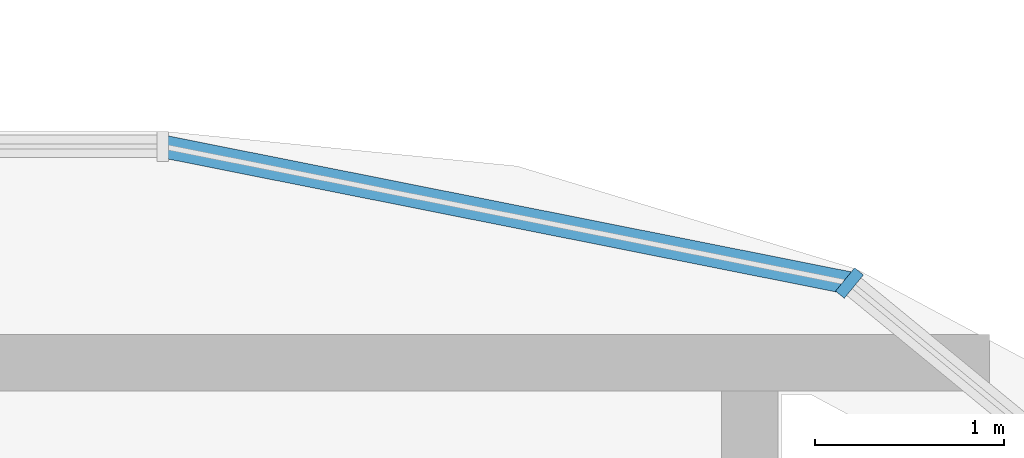
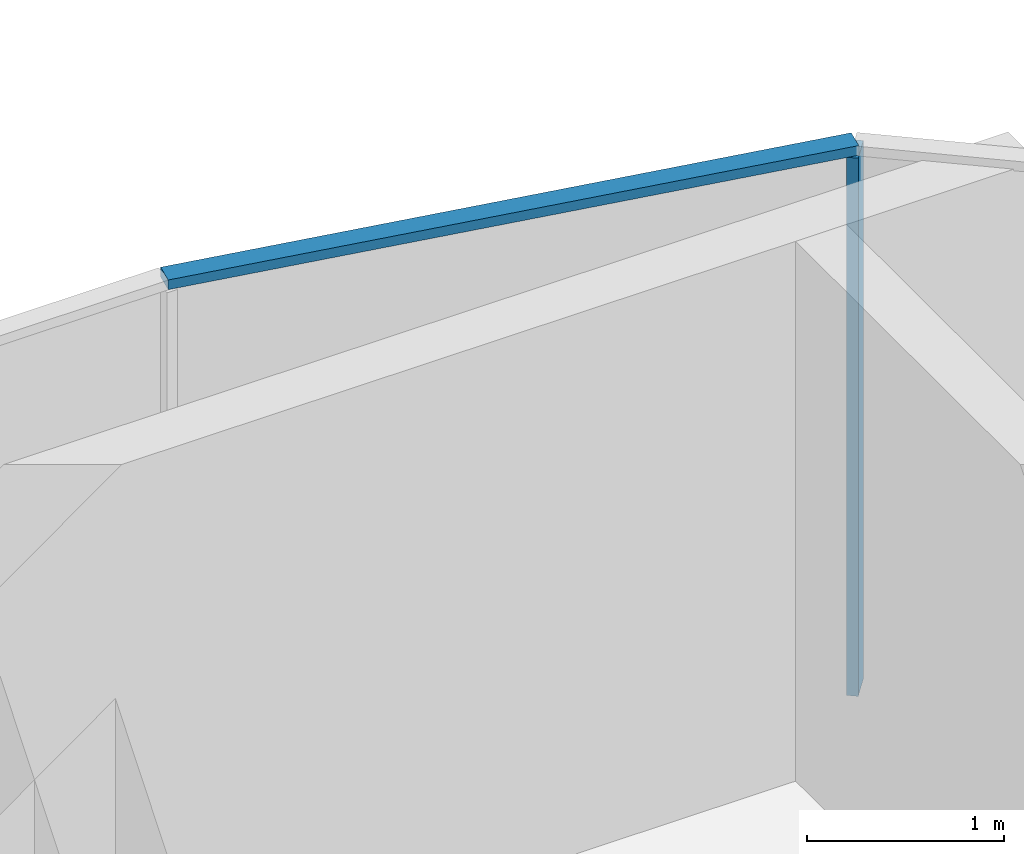
# One storey, part 5 of 23: 2 members, 1 element without a shape of its own.
"""IFC4 building model written with IfcOpenShell, lengths in metres."""

from ifc_helpers import new_model, si_unit, direction, frame, origin, origin_2d, place, context, subcontext, project, spatial, rectangle, extrude, material, material_profile, profile_set, type_object, element, aggregate, save


model = new_model("IFC4")

# Units and contexts
model_context = context("Model", 3, precision=1e-05, world=origin(), true_north=direction((0.0, 1.0)))
body_context = subcontext(model_context, "Body", "Model", "MODEL_VIEW")
ifc_project = project(units=[si_unit("LENGTHUNIT", "METRE"), si_unit("AREAUNIT", "SQUARE_METRE"), si_unit("VOLUMEUNIT", "CUBIC_METRE"), si_unit("PLANEANGLEUNIT", "RADIAN"), si_unit("MASSUNIT", "GRAM", prefix="KILO")], contexts=[model_context])

# Site, building, storey
site_placement = place(None, origin())
site = spatial("IfcSite", under=ifc_project, at=site_placement, CompositionType="ELEMENT")
building_placement = place(site_placement, origin())
building = spatial("IfcBuilding", under=site, at=building_placement, Name="Ogive Portal Towers", CompositionType="ELEMENT")
storey_placement = place(building_placement, frame((0.0, 0.0, 120.39990234375)))
storey = spatial("IfcBuildingStorey", under=building, at=storey_placement, Name="L29", CompositionType="ELEMENT", Elevation=120.39990234375)

# Curtain wall, members
ifc_material_1 = material(Name="Glass, clear low-iron insulated glazing", Category="glass")
curtain_wall_type = type_object("IfcCurtainWallType", Name="CW FRONT RIBBON 4500", PredefinedType="NOTDEFINED", material=ifc_material_1)
curtain_wall_placement = place(storey_placement, origin())
curtain_wall = element("IfcCurtainWall", 1, at=curtain_wall_placement, inside=storey, type_object=curtain_wall_type, Name="A:L29:f13:cwa", PredefinedType="NOTDEFINED")
ifc_material_2 = material(Name="Aluminium 6063 anodised", Category="aluminium")
ifc_material_profile_1 = material_profile(ifc_material_2, rectangle(XDim=0.159912109375, YDim=0.06005859375, at=origin_2d()), Name="AL 60x160")
ifc_profile_set_1 = profile_set([ifc_material_profile_1], Name="Aluminium 6063 anodised")
member_type_1 = type_object("IfcMemberType", Name="CW MULLION 60x160", PredefinedType="MULLION", material=ifc_profile_set_1)
member_1_placement = place(storey_placement, frame((91.12890625, 41.271484375, 0.0), z_axis=(0.0, 0.0, 1.0), x_axis=(-0.634393284164, -0.773010453363, 0.0)))
member_1 = element("IfcMember", 2, at=member_1_placement, type_object=member_type_1, Name="mullion", PredefinedType="MULLION", context=body_context, shape_type="SweptSolid", body=[
    extrude(rectangle(XDim=0.159912109375, YDim=0.06005859375, at=origin_2d()), origin(), (0.0, 0.0, 1.0), 3.340087890625),
])
ifc_material_profile_2 = material_profile(ifc_material_2, rectangle(XDim=0.1201171875, YDim=0.06005859375, at=origin_2d()), Name="AL 120x60")
ifc_profile_set_2 = profile_set([ifc_material_profile_2], Name="Aluminium 6063 anodised")
member_type_2 = type_object("IfcMemberType", Name="CW TRANSOM 60x120", PredefinedType="USERDEFINED", material=ifc_profile_set_2)
member_2_placement = place(storey_placement, frame((91.12890625, 41.271484375, 3.3701171875), z_axis=(-0.980772662828, 0.195153744134, 0.0), x_axis=(-0.195153744134, -0.980772662828, 0.0)))
member_2 = element("IfcMember", 3, at=member_2_placement, type_object=member_type_2, Name="transom", ObjectType="TRANSOM", PredefinedType="USERDEFINED", context=body_context, shape_type="SweptSolid", body=[
    extrude(rectangle(XDim=0.1201171875, YDim=0.06005859375, at=origin_2d()), origin(), (0.0, 0.0, 1.0), 3.7080078125),
])
aggregate(curtain_wall, [member_2, member_1])

save(model, "model.ifc")
